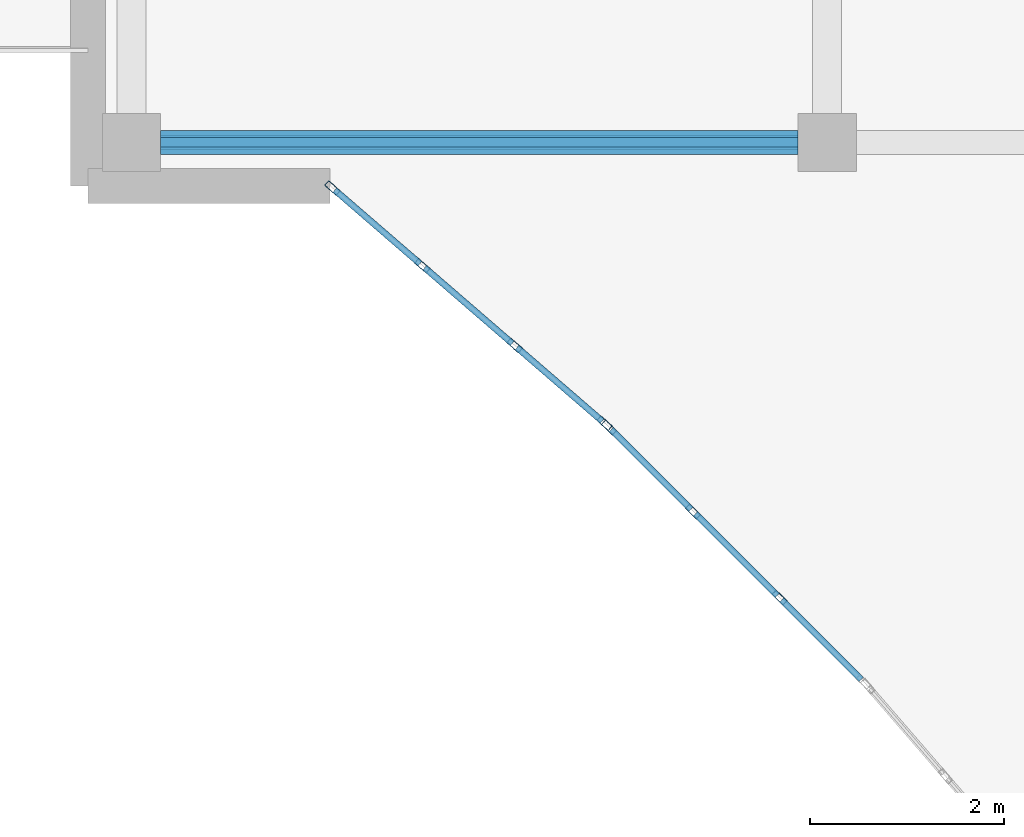
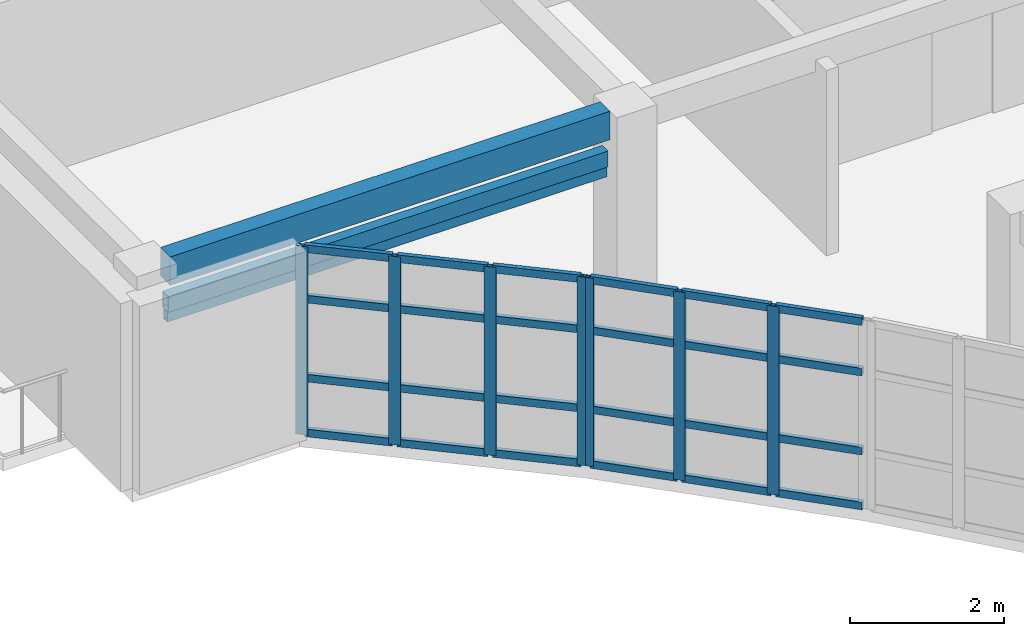
# One storey, part 17 of 79: 33 members, 1 beam, 2 elements without a shape of their own.
"""IFC4 building model written with IfcOpenShell, lengths in metres."""

from ifc_helpers import new_model, si_unit, direction, frame, origin, origin_2d, place, context, subcontext, project, spatial, rectangle, hollow_rectangle, extrude, material, layer, layer_set, material_profile, profile_set, type_object, element, aggregate, save


model = new_model("IFC4")

# Units and contexts
model_context = context("Model", 3, precision=1e-05, world=origin(), true_north=direction((0.0, 1.0)))
body_context = subcontext(model_context, "Body", "Model", "MODEL_VIEW")
ifc_project = project(units=[si_unit("LENGTHUNIT", "METRE"), si_unit("AREAUNIT", "SQUARE_METRE"), si_unit("VOLUMEUNIT", "CUBIC_METRE"), si_unit("PLANEANGLEUNIT", "RADIAN"), si_unit("MASSUNIT", "GRAM", prefix="KILO")], contexts=[model_context])

# Site, building, storey
site_placement = place(None, origin())
site = spatial("IfcSite", under=ifc_project, at=site_placement, CompositionType="ELEMENT")
building_placement = place(site_placement, origin())
building = spatial("IfcBuilding", under=site, at=building_placement, Name="Keldmere Railside Commons", CompositionType="ELEMENT")
storey_placement = place(building_placement, frame((0.0, 0.0, 10.56005859375)))
storey = spatial("IfcBuildingStorey", under=building, at=storey_placement, Name="L03", CompositionType="ELEMENT", Elevation=10.56005859375)

# Member
ifc_material_1 = material(Name="Steel F-36 (S355)", Category="steel")
ifc_material_profile_1 = material_profile(ifc_material_1, hollow_rectangle(XDim=0.14990234375, YDim=0.25, WallThickness=0.010009765625, at=origin_2d()), Name="RHS-250x150x10")
ifc_profile_set_1 = profile_set([ifc_material_profile_1], Name="Steel F-36 (S355)")
member_type_1 = type_object("IfcMemberType", Name="Balcony Continuous Planted Trough RHS250x150", PredefinedType="CHORD", material=ifc_profile_set_1)
member_1_placement = place(storey_placement, frame((94.25, 100.449951171875, 2.4150390625), z_axis=(1.0, 0.0, 0.0), x_axis=(0.0, 1.0, 0.0)))
element("IfcMember", 1, at=member_1_placement, inside=storey, type_object=member_type_1, Name="PLT-1 MEM-BPLT-0401", PredefinedType="CHORD", context=body_context, shape_type="SweptSolid", body=[
    extrude(hollow_rectangle(XDim=0.14990234375, YDim=0.25, WallThickness=0.010009765625, at=origin_2d()), origin(), (0.0, 0.0, 1.0), 6.5830078125),
])

# Beam
ifc_material_2 = material(Name="Architectural Precast Concrete H-35 (C35/45)", Category="concrete")
ifc_material_profile_2 = material_profile(ifc_material_2, rectangle(XDim=0.25, YDim=0.449951171875, at=origin_2d()), Name="RC-250x450")
ifc_profile_set_2 = profile_set([ifc_material_profile_2], Name="Architectural Precast Concrete H-35 (C35/45)")
beam_type = type_object("IfcBeamType", Name="Perimeter Precast Spandrel Beam 250x450", PredefinedType="SPANDREL", material=ifc_profile_set_2)
beam_placement = place(storey_placement, frame((94.25, 100.449951171875, 2.974853515625), z_axis=(1.0, 0.0, 0.0), x_axis=(0.0, 1.0, 0.0)))
element("IfcBeam", 2, at=beam_placement, inside=storey, type_object=beam_type, Name="SPB-1 BM-L03-1373", PredefinedType="SPANDREL", context=body_context, shape_type="SweptSolid", body=[
    extrude(rectangle(XDim=0.25, YDim=0.449951171875, at=origin_2d()), origin(), (0.0, 0.0, 1.0), 6.5830078125),
])

# Member
ifc_material_profile_3 = material_profile(ifc_material_1, hollow_rectangle(XDim=0.10009765625, YDim=0.159912109375, WallThickness=0.008056640625, at=origin_2d()), Name="RHS-160x100x8")
ifc_profile_set_3 = profile_set([ifc_material_profile_3], Name="Steel F-36 (S355)")
member_type_2 = type_object("IfcMemberType", Name="Solar Brise-Soleil Louvre Fin RHS160x100", PredefinedType="STRUT", material=ifc_profile_set_3)
member_2_placement = place(storey_placement, frame((94.25, 100.449951171875, 2.199951171875), z_axis=(1.0, 0.0, 0.0), x_axis=(0.0, 1.0, 0.0)))
element("IfcMember", 3, at=member_2_placement, inside=storey, type_object=member_type_2, Name="BSF-1 MEM-BSF-0402", PredefinedType="STRUT", context=body_context, shape_type="SweptSolid", body=[
    extrude(hollow_rectangle(XDim=0.10009765625, YDim=0.159912109375, WallThickness=0.008056640625, at=origin_2d()), origin(), (0.0, 0.0, 1.0), 6.5830078125),
])

# Curtain wall, members
ifc_material_3 = material(Name="Thermally Broken Aluminium", Category="aluminium")
ifc_layer_1 = layer(ifc_material_3, 0.159912109375, Name="Court Chord Wintergarden CW 4800x2850")
ifc_layer_set_1 = layer_set([ifc_layer_1], Name="Thermally Broken Aluminium")
curtain_wall_type_1 = type_object("IfcCurtainWallType", Name="Court Chord Wintergarden CW 4800x2850", PredefinedType="NOTDEFINED", material=ifc_layer_set_1)
curtain_wall_1_placement = place(storey_placement, origin())
curtain_wall_1 = element("IfcCurtainWall", 4, at=curtain_wall_1_placement, inside=storey, type_object=curtain_wall_type_1, Name="CW-12 CW-L03-106", PredefinedType="NOTDEFINED")
ifc_material_profile_4 = material_profile(ifc_material_3, hollow_rectangle(XDim=0.06494140625, YDim=0.159912109375, WallThickness=0.00390625, at=origin_2d()), Name="ALU-MULL-65x160")
ifc_profile_set_4 = profile_set([ifc_material_profile_4], Name="Thermally Broken Aluminium")
member_type_3 = type_object("IfcMemberType", Name="Unitised Curtain Wall Mullion 65x160", PredefinedType="MULLION", material=ifc_profile_set_4)
member_3_placement = place(storey_placement, frame((98.83349609375, 97.55126953125, 0.0), z_axis=(0.0, 0.0, 1.0), x_axis=(-0.653881741053, -0.756596767584, 0.0)))
member_3 = element("IfcMember", 5, at=member_3_placement, type_object=member_type_3, Name="CW-12 mullion 1", PredefinedType="MULLION", context=body_context, shape_type="SweptSolid", body=[
    extrude(hollow_rectangle(XDim=0.06494140625, YDim=0.159912109375, WallThickness=0.00390625, at=origin_2d()), origin(), (0.0, 0.0, 1.0), 2.97998046875),
])
member_4_placement = place(storey_placement, frame((97.9052734375, 98.353271484375, 0.0), z_axis=(0.0, 0.0, 1.0), x_axis=(-0.653881741053, -0.756596767584, 0.0)))
member_4 = element("IfcMember", 6, at=member_4_placement, type_object=member_type_3, Name="CW-12 mullion 2", PredefinedType="MULLION", context=body_context, shape_type="SweptSolid", body=[
    extrude(hollow_rectangle(XDim=0.06494140625, YDim=0.159912109375, WallThickness=0.00390625, at=origin_2d()), origin(), (0.0, 0.0, 1.0), 2.97998046875),
])
member_5_placement = place(storey_placement, frame((96.95263671875, 99.1767578125, 0.0), z_axis=(0.0, 0.0, 1.0), x_axis=(-0.653881741053, -0.756596767584, 0.0)))
member_5 = element("IfcMember", 7, at=member_5_placement, type_object=member_type_3, Name="CW-12 mullion 3", PredefinedType="MULLION", context=body_context, shape_type="SweptSolid", body=[
    extrude(hollow_rectangle(XDim=0.06494140625, YDim=0.159912109375, WallThickness=0.00390625, at=origin_2d()), origin(), (0.0, 0.0, 1.0), 2.97998046875),
])
member_6_placement = place(storey_placement, frame((96.024658203125, 99.978759765625, 0.0), z_axis=(0.0, 0.0, 1.0), x_axis=(-0.653881741053, -0.756596767584, 0.0)))
member_6 = element("IfcMember", 8, at=member_6_placement, type_object=member_type_3, Name="CW-12 mullion 4", PredefinedType="MULLION", context=body_context, shape_type="SweptSolid", body=[
    extrude(hollow_rectangle(XDim=0.06494140625, YDim=0.159912109375, WallThickness=0.00390625, at=origin_2d()), origin(), (0.0, 0.0, 1.0), 2.97998046875),
])

ifc_layer_2 = layer(ifc_material_3, 0.159912109375, Name="Court Chord Wintergarden CW 5400x2850")
ifc_layer_set_2 = layer_set([ifc_layer_2], Name="Thermally Broken Aluminium")
curtain_wall_type_2 = type_object("IfcCurtainWallType", Name="Court Chord Wintergarden CW 5400x2850", PredefinedType="NOTDEFINED", material=ifc_layer_set_2)
curtain_wall_2_placement = place(storey_placement, origin())
curtain_wall_2 = element("IfcCurtainWall", 9, at=curtain_wall_2_placement, inside=storey, type_object=curtain_wall_type_2, Name="CW-13 CW-L03-107", PredefinedType="NOTDEFINED")
member_7_placement = place(storey_placement, frame((100.639404296875, 95.748779296875, 0.0), z_axis=(0.0, 0.0, 1.0), x_axis=(-0.707106781187, -0.707106781187, 0.0)))
member_7 = element("IfcMember", 10, at=member_7_placement, type_object=member_type_3, Name="CW-13 mullion 2", PredefinedType="MULLION", context=body_context, shape_type="SweptSolid", body=[
    extrude(hollow_rectangle(XDim=0.06494140625, YDim=0.159912109375, WallThickness=0.00390625, at=origin_2d()), origin(), (0.0, 0.0, 1.0), 2.97998046875),
])
member_8_placement = place(storey_placement, frame((99.748779296875, 96.639404296875, 0.0), z_axis=(0.0, 0.0, 1.0), x_axis=(-0.707106781187, -0.707106781187, 0.0)))
member_8 = element("IfcMember", 11, at=member_8_placement, type_object=member_type_3, Name="CW-13 mullion 3", PredefinedType="MULLION", context=body_context, shape_type="SweptSolid", body=[
    extrude(hollow_rectangle(XDim=0.06494140625, YDim=0.159912109375, WallThickness=0.00390625, at=origin_2d()), origin(), (0.0, 0.0, 1.0), 2.97998046875),
])
member_9_placement = place(storey_placement, frame((98.880859375, 97.507080078125, 0.0), z_axis=(0.0, 0.0, 1.0), x_axis=(-0.707106781187, -0.707106781187, 0.0)))
member_9 = element("IfcMember", 12, at=member_9_placement, type_object=member_type_3, Name="CW-13 mullion 4", PredefinedType="MULLION", context=body_context, shape_type="SweptSolid", body=[
    extrude(hollow_rectangle(XDim=0.06494140625, YDim=0.159912109375, WallThickness=0.00390625, at=origin_2d()), origin(), (0.0, 0.0, 1.0), 2.97998046875),
])

# Member
ifc_material_profile_5 = material_profile(ifc_material_3, hollow_rectangle(XDim=0.06494140625, YDim=0.1201171875, WallThickness=0.00390625, at=origin_2d()), Name="ALU-TRAN-65x120")
ifc_profile_set_5 = profile_set([ifc_material_profile_5], Name="Thermally Broken Aluminium")
member_type_4 = type_object("IfcMemberType", Name="Unitised Curtain Wall Transom 65x120", PredefinedType="USERDEFINED", material=ifc_profile_set_5)
member_10_placement = place(storey_placement, frame((98.808837890625, 97.572509765625, 0.032470703125), z_axis=(-0.756624489527, 0.653849663033, 0.0), x_axis=(-0.653849663033, -0.756624489527, 0.0)))
member_10 = element("IfcMember", 13, at=member_10_placement, type_object=member_type_4, Name="CW-12 transom 1.1", ObjectType="TRANSOM", PredefinedType="USERDEFINED", context=body_context, shape_type="SweptSolid", body=[
    extrude(hollow_rectangle(XDim=0.06494140625, YDim=0.1201171875, WallThickness=0.00390625, at=origin_2d()), origin(), (0.0, 0.0, 1.0), 1.16162109375),
])

member_11_placement = place(storey_placement, frame((98.808837890625, 97.572509765625, 0.89990234375), z_axis=(-0.756624489527, 0.653849663033, 0.0), x_axis=(-0.653849663033, -0.756624489527, 0.0)))
member_11 = element("IfcMember", 14, at=member_11_placement, type_object=member_type_4, Name="CW-12 transom 1.2", ObjectType="TRANSOM", PredefinedType="USERDEFINED", context=body_context, shape_type="SweptSolid", body=[
    extrude(hollow_rectangle(XDim=0.06494140625, YDim=0.1201171875, WallThickness=0.00390625, at=origin_2d()), origin(), (0.0, 0.0, 1.0), 1.16162109375),
])

member_12_placement = place(storey_placement, frame((98.808837890625, 97.572509765625, 2.14990234375), z_axis=(-0.756624489527, 0.653849663033, 0.0), x_axis=(-0.653849663033, -0.756624489527, 0.0)))
member_12 = element("IfcMember", 15, at=member_12_placement, type_object=member_type_4, Name="CW-12 transom 1.3", ObjectType="TRANSOM", PredefinedType="USERDEFINED", context=body_context, shape_type="SweptSolid", body=[
    extrude(hollow_rectangle(XDim=0.06494140625, YDim=0.1201171875, WallThickness=0.00390625, at=origin_2d()), origin(), (0.0, 0.0, 1.0), 1.16162109375),
])

member_13_placement = place(storey_placement, frame((98.808837890625, 97.572509765625, 2.947509765625), z_axis=(-0.756624489527, 0.653849663033, 0.0), x_axis=(-0.653849663033, -0.756624489527, 0.0)))
member_13 = element("IfcMember", 16, at=member_13_placement, type_object=member_type_4, Name="CW-12 transom 1.4", ObjectType="TRANSOM", PredefinedType="USERDEFINED", context=body_context, shape_type="SweptSolid", body=[
    extrude(hollow_rectangle(XDim=0.06494140625, YDim=0.1201171875, WallThickness=0.00390625, at=origin_2d()), origin(), (0.0, 0.0, 1.0), 1.16162109375),
])

member_14_placement = place(storey_placement, frame((97.880859375, 98.37451171875, 0.032470703125), z_axis=(-0.756551755881, 0.653933819796, 0.0), x_axis=(-0.653933819796, -0.756551755881, 0.0)))
member_14 = element("IfcMember", 17, at=member_14_placement, type_object=member_type_4, Name="CW-12 transom 2.1", ObjectType="TRANSOM", PredefinedType="USERDEFINED", context=body_context, shape_type="SweptSolid", body=[
    extrude(hollow_rectangle(XDim=0.06494140625, YDim=0.1201171875, WallThickness=0.00390625, at=origin_2d()), origin(), (0.0, 0.0, 1.0), 1.1943359375),
])

member_15_placement = place(storey_placement, frame((97.880859375, 98.37451171875, 0.89990234375), z_axis=(-0.756551755881, 0.653933819796, 0.0), x_axis=(-0.653933819796, -0.756551755881, 0.0)))
member_15 = element("IfcMember", 18, at=member_15_placement, type_object=member_type_4, Name="CW-12 transom 2.2", ObjectType="TRANSOM", PredefinedType="USERDEFINED", context=body_context, shape_type="SweptSolid", body=[
    extrude(hollow_rectangle(XDim=0.06494140625, YDim=0.1201171875, WallThickness=0.00390625, at=origin_2d()), origin(), (0.0, 0.0, 1.0), 1.1943359375),
])

member_16_placement = place(storey_placement, frame((97.880859375, 98.37451171875, 2.14990234375), z_axis=(-0.756551755881, 0.653933819796, 0.0), x_axis=(-0.653933819796, -0.756551755881, 0.0)))
member_16 = element("IfcMember", 19, at=member_16_placement, type_object=member_type_4, Name="CW-12 transom 2.3", ObjectType="TRANSOM", PredefinedType="USERDEFINED", context=body_context, shape_type="SweptSolid", body=[
    extrude(hollow_rectangle(XDim=0.06494140625, YDim=0.1201171875, WallThickness=0.00390625, at=origin_2d()), origin(), (0.0, 0.0, 1.0), 1.1943359375),
])

member_17_placement = place(storey_placement, frame((97.880859375, 98.37451171875, 2.947509765625), z_axis=(-0.756551755881, 0.653933819796, 0.0), x_axis=(-0.653933819796, -0.756551755881, 0.0)))
member_17 = element("IfcMember", 20, at=member_17_placement, type_object=member_type_4, Name="CW-12 transom 2.4", ObjectType="TRANSOM", PredefinedType="USERDEFINED", context=body_context, shape_type="SweptSolid", body=[
    extrude(hollow_rectangle(XDim=0.06494140625, YDim=0.1201171875, WallThickness=0.00390625, at=origin_2d()), origin(), (0.0, 0.0, 1.0), 1.1943359375),
])

member_18_placement = place(storey_placement, frame((96.927978515625, 99.197998046875, 0.032470703125), z_axis=(-0.756624489527, 0.653849663033, 0.0), x_axis=(-0.653849663033, -0.756624489527, 0.0)))
member_18 = element("IfcMember", 21, at=member_18_placement, type_object=member_type_4, Name="CW-12 transom 3.1", ObjectType="TRANSOM", PredefinedType="USERDEFINED", context=body_context, shape_type="SweptSolid", body=[
    extrude(hollow_rectangle(XDim=0.06494140625, YDim=0.1201171875, WallThickness=0.00390625, at=origin_2d()), origin(), (0.0, 0.0, 1.0), 1.16162109375),
])

member_19_placement = place(storey_placement, frame((96.927978515625, 99.197998046875, 0.89990234375), z_axis=(-0.756624489527, 0.653849663033, 0.0), x_axis=(-0.653849663033, -0.756624489527, 0.0)))
member_19 = element("IfcMember", 22, at=member_19_placement, type_object=member_type_4, Name="CW-12 transom 3.2", ObjectType="TRANSOM", PredefinedType="USERDEFINED", context=body_context, shape_type="SweptSolid", body=[
    extrude(hollow_rectangle(XDim=0.06494140625, YDim=0.1201171875, WallThickness=0.00390625, at=origin_2d()), origin(), (0.0, 0.0, 1.0), 1.16162109375),
])

member_20_placement = place(storey_placement, frame((96.927978515625, 99.197998046875, 2.14990234375), z_axis=(-0.756624489527, 0.653849663033, 0.0), x_axis=(-0.653849663033, -0.756624489527, 0.0)))
member_20 = element("IfcMember", 23, at=member_20_placement, type_object=member_type_4, Name="CW-12 transom 3.3", ObjectType="TRANSOM", PredefinedType="USERDEFINED", context=body_context, shape_type="SweptSolid", body=[
    extrude(hollow_rectangle(XDim=0.06494140625, YDim=0.1201171875, WallThickness=0.00390625, at=origin_2d()), origin(), (0.0, 0.0, 1.0), 1.16162109375),
])

member_21_placement = place(storey_placement, frame((96.927978515625, 99.197998046875, 2.947509765625), z_axis=(-0.756624489527, 0.653849663033, 0.0), x_axis=(-0.653849663033, -0.756624489527, 0.0)))
member_21 = element("IfcMember", 24, at=member_21_placement, type_object=member_type_4, Name="CW-12 transom 3.4", ObjectType="TRANSOM", PredefinedType="USERDEFINED", context=body_context, shape_type="SweptSolid", body=[
    extrude(hollow_rectangle(XDim=0.06494140625, YDim=0.1201171875, WallThickness=0.00390625, at=origin_2d()), origin(), (0.0, 0.0, 1.0), 1.16162109375),
])

aggregate(curtain_wall_1, [member_3, member_4, member_5, member_6, member_10, member_11, member_12, member_13, member_14, member_15, member_16, member_17, member_18, member_19, member_20, member_21])

member_22_placement = place(storey_placement, frame((101.484130859375, 94.904052734375, 0.032470703125), z_axis=(-0.707211825645, 0.707001721121, 0.0), x_axis=(-0.707001721121, -0.707211825645, 0.0)))
member_22 = element("IfcMember", 25, at=member_22_placement, type_object=member_type_4, Name="CW-13 transom 1.1", ObjectType="TRANSOM", PredefinedType="USERDEFINED", context=body_context, shape_type="SweptSolid", body=[
    extrude(hollow_rectangle(XDim=0.06494140625, YDim=0.1201171875, WallThickness=0.00390625, at=origin_2d()), origin(), (0.0, 0.0, 1.0), 1.162109375),
])

member_23_placement = place(storey_placement, frame((101.484130859375, 94.904052734375, 0.89990234375), z_axis=(-0.707211825645, 0.707001721121, 0.0), x_axis=(-0.707001721121, -0.707211825645, 0.0)))
member_23 = element("IfcMember", 26, at=member_23_placement, type_object=member_type_4, Name="CW-13 transom 1.2", ObjectType="TRANSOM", PredefinedType="USERDEFINED", context=body_context, shape_type="SweptSolid", body=[
    extrude(hollow_rectangle(XDim=0.06494140625, YDim=0.1201171875, WallThickness=0.00390625, at=origin_2d()), origin(), (0.0, 0.0, 1.0), 1.162109375),
])

member_24_placement = place(storey_placement, frame((101.484130859375, 94.904052734375, 2.14990234375), z_axis=(-0.707211825645, 0.707001721121, 0.0), x_axis=(-0.707001721121, -0.707211825645, 0.0)))
member_24 = element("IfcMember", 27, at=member_24_placement, type_object=member_type_4, Name="CW-13 transom 1.3", ObjectType="TRANSOM", PredefinedType="USERDEFINED", context=body_context, shape_type="SweptSolid", body=[
    extrude(hollow_rectangle(XDim=0.06494140625, YDim=0.1201171875, WallThickness=0.00390625, at=origin_2d()), origin(), (0.0, 0.0, 1.0), 1.162109375),
])

member_25_placement = place(storey_placement, frame((101.484130859375, 94.904052734375, 2.947509765625), z_axis=(-0.707211825645, 0.707001721121, 0.0), x_axis=(-0.707001721121, -0.707211825645, 0.0)))
member_25 = element("IfcMember", 28, at=member_25_placement, type_object=member_type_4, Name="CW-13 transom 1.4", ObjectType="TRANSOM", PredefinedType="USERDEFINED", context=body_context, shape_type="SweptSolid", body=[
    extrude(hollow_rectangle(XDim=0.06494140625, YDim=0.1201171875, WallThickness=0.00390625, at=origin_2d()), origin(), (0.0, 0.0, 1.0), 1.162109375),
])

member_26_placement = place(storey_placement, frame((100.616455078125, 95.771728515625, 0.032470703125), z_axis=(-0.707106781187, 0.707106781187, 0.0), x_axis=(-0.707106781187, -0.707106781187, 0.0)))
member_26 = element("IfcMember", 29, at=member_26_placement, type_object=member_type_4, Name="CW-13 transom 2.1", ObjectType="TRANSOM", PredefinedType="USERDEFINED", context=body_context, shape_type="SweptSolid", body=[
    extrude(hollow_rectangle(XDim=0.06494140625, YDim=0.1201171875, WallThickness=0.00390625, at=origin_2d()), origin(), (0.0, 0.0, 1.0), 1.194580078125),
])

member_27_placement = place(storey_placement, frame((100.616455078125, 95.771728515625, 0.89990234375), z_axis=(-0.707106781187, 0.707106781187, 0.0), x_axis=(-0.707106781187, -0.707106781187, 0.0)))
member_27 = element("IfcMember", 30, at=member_27_placement, type_object=member_type_4, Name="CW-13 transom 2.2", ObjectType="TRANSOM", PredefinedType="USERDEFINED", context=body_context, shape_type="SweptSolid", body=[
    extrude(hollow_rectangle(XDim=0.06494140625, YDim=0.1201171875, WallThickness=0.00390625, at=origin_2d()), origin(), (0.0, 0.0, 1.0), 1.194580078125),
])

member_28_placement = place(storey_placement, frame((100.616455078125, 95.771728515625, 2.14990234375), z_axis=(-0.707106781187, 0.707106781187, 0.0), x_axis=(-0.707106781187, -0.707106781187, 0.0)))
member_28 = element("IfcMember", 31, at=member_28_placement, type_object=member_type_4, Name="CW-13 transom 2.3", ObjectType="TRANSOM", PredefinedType="USERDEFINED", context=body_context, shape_type="SweptSolid", body=[
    extrude(hollow_rectangle(XDim=0.06494140625, YDim=0.1201171875, WallThickness=0.00390625, at=origin_2d()), origin(), (0.0, 0.0, 1.0), 1.194580078125),
])

member_29_placement = place(storey_placement, frame((100.616455078125, 95.771728515625, 2.947509765625), z_axis=(-0.707106781187, 0.707106781187, 0.0), x_axis=(-0.707106781187, -0.707106781187, 0.0)))
member_29 = element("IfcMember", 32, at=member_29_placement, type_object=member_type_4, Name="CW-13 transom 2.4", ObjectType="TRANSOM", PredefinedType="USERDEFINED", context=body_context, shape_type="SweptSolid", body=[
    extrude(hollow_rectangle(XDim=0.06494140625, YDim=0.1201171875, WallThickness=0.00390625, at=origin_2d()), origin(), (0.0, 0.0, 1.0), 1.194580078125),
])

member_30_placement = place(storey_placement, frame((99.7255859375, 96.662353515625, 0.032470703125), z_axis=(-0.707001721121, 0.707211825645, 0.0), x_axis=(-0.707211825645, -0.707001721121, 0.0)))
member_30 = element("IfcMember", 33, at=member_30_placement, type_object=member_type_4, Name="CW-13 transom 3.1", ObjectType="TRANSOM", PredefinedType="USERDEFINED", context=body_context, shape_type="SweptSolid", body=[
    extrude(hollow_rectangle(XDim=0.06494140625, YDim=0.1201171875, WallThickness=0.00390625, at=origin_2d()), origin(), (0.0, 0.0, 1.0), 1.162109375),
])

member_31_placement = place(storey_placement, frame((99.7255859375, 96.662353515625, 0.89990234375), z_axis=(-0.707001721121, 0.707211825645, 0.0), x_axis=(-0.707211825645, -0.707001721121, 0.0)))
member_31 = element("IfcMember", 34, at=member_31_placement, type_object=member_type_4, Name="CW-13 transom 3.2", ObjectType="TRANSOM", PredefinedType="USERDEFINED", context=body_context, shape_type="SweptSolid", body=[
    extrude(hollow_rectangle(XDim=0.06494140625, YDim=0.1201171875, WallThickness=0.00390625, at=origin_2d()), origin(), (0.0, 0.0, 1.0), 1.162109375),
])

member_32_placement = place(storey_placement, frame((99.7255859375, 96.662353515625, 2.14990234375), z_axis=(-0.707001721121, 0.707211825645, 0.0), x_axis=(-0.707211825645, -0.707001721121, 0.0)))
member_32 = element("IfcMember", 35, at=member_32_placement, type_object=member_type_4, Name="CW-13 transom 3.3", ObjectType="TRANSOM", PredefinedType="USERDEFINED", context=body_context, shape_type="SweptSolid", body=[
    extrude(hollow_rectangle(XDim=0.06494140625, YDim=0.1201171875, WallThickness=0.00390625, at=origin_2d()), origin(), (0.0, 0.0, 1.0), 1.162109375),
])

member_33_placement = place(storey_placement, frame((99.7255859375, 96.662353515625, 2.947509765625), z_axis=(-0.707001721121, 0.707211825645, 0.0), x_axis=(-0.707211825645, -0.707001721121, 0.0)))
member_33 = element("IfcMember", 36, at=member_33_placement, type_object=member_type_4, Name="CW-13 transom 3.4", ObjectType="TRANSOM", PredefinedType="USERDEFINED", context=body_context, shape_type="SweptSolid", body=[
    extrude(hollow_rectangle(XDim=0.06494140625, YDim=0.1201171875, WallThickness=0.00390625, at=origin_2d()), origin(), (0.0, 0.0, 1.0), 1.162109375),
])

aggregate(curtain_wall_2, [member_7, member_8, member_9, member_22, member_23, member_24, member_25, member_26, member_27, member_28, member_29, member_30, member_31, member_32, member_33])

save(model, "model.ifc")
